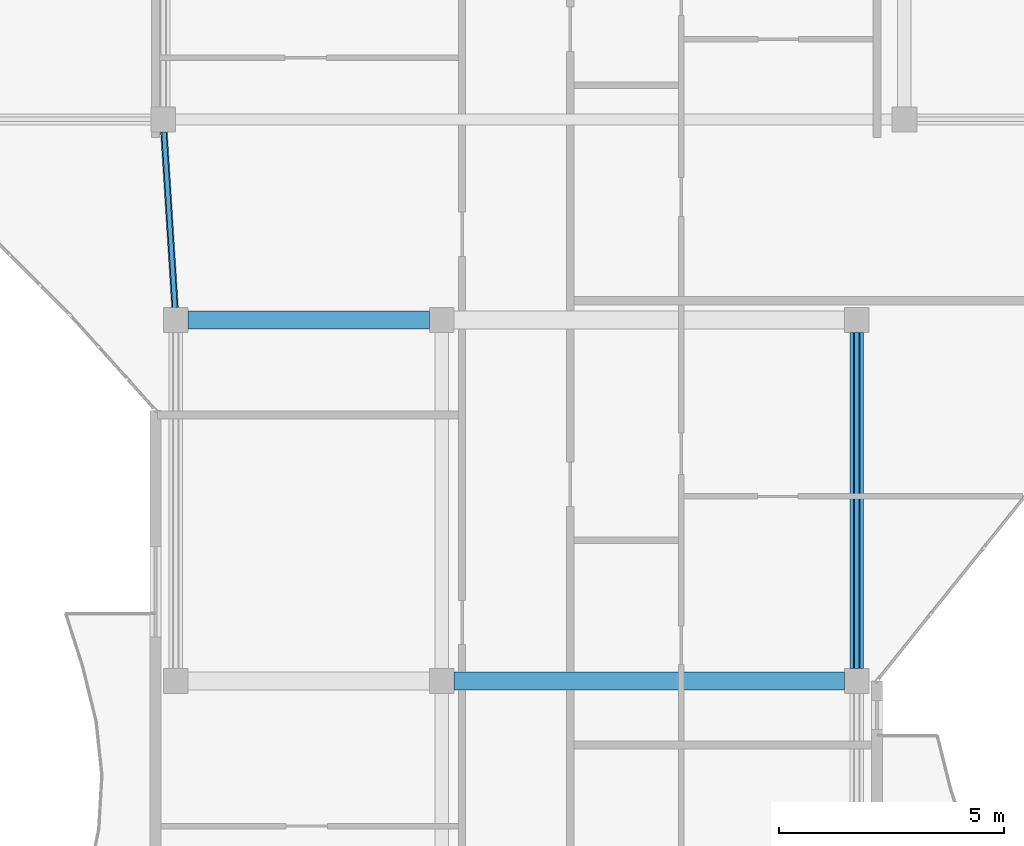
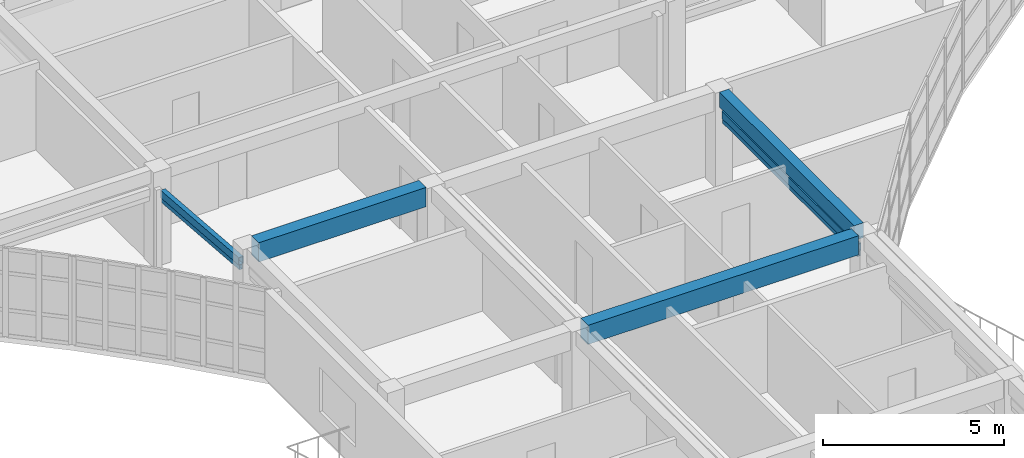
# One storey, part 5 of 54: 4 members, 3 beams.
"""IFC4 building model written with IfcOpenShell, lengths in metres."""

from ifc_helpers import new_model, si_unit, direction, frame, origin, origin_2d, place, context, subcontext, project, spatial, rectangle, hollow_rectangle, extrude, material, material_profile, profile_set, type_object, element, save


model = new_model("IFC4")

# Units and contexts
model_context = context("Model", 3, precision=1e-05, world=origin(), true_north=direction((0.0, 1.0)))
body_context = subcontext(model_context, "Body", "Model", "MODEL_VIEW")
ifc_project = project(units=[si_unit("LENGTHUNIT", "METRE"), si_unit("AREAUNIT", "SQUARE_METRE"), si_unit("VOLUMEUNIT", "CUBIC_METRE"), si_unit("PLANEANGLEUNIT", "RADIAN"), si_unit("MASSUNIT", "GRAM", prefix="KILO")], contexts=[model_context])

# Site, building, storey
site_placement = place(None, origin())
site = spatial("IfcSite", under=ifc_project, at=site_placement, CompositionType="ELEMENT")
building_placement = place(site_placement, origin())
building = spatial("IfcBuilding", under=site, at=building_placement, Name="Keldmere Railside Commons", CompositionType="ELEMENT")
storey_placement = place(building_placement, frame((0.0, 0.0, 26.56005859375)))
storey = spatial("IfcBuildingStorey", under=building, at=storey_placement, Name="L08", CompositionType="ELEMENT", Elevation=26.56005859375)

# Members
ifc_material_1 = material(Name="Steel F-36 (S355)", Category="steel")
ifc_material_profile_1 = material_profile(ifc_material_1, hollow_rectangle(XDim=0.14990234375, YDim=0.25, WallThickness=0.010009765625, at=origin_2d()), Name="RHS-250x150x10")
ifc_profile_set_1 = profile_set([ifc_material_profile_1], Name="Steel F-36 (S355)")
member_type_1 = type_object("IfcMemberType", Name="Balcony Continuous Planted Trough RHS250x150", PredefinedType="CHORD", material=ifc_profile_set_1)
member_1_placement = place(storey_placement, frame((48.4326171875, 96.2744140625, 2.4150390625), z_axis=(-0.062771017895, 0.998027955176, 0.0), x_axis=(-0.998027955176, -0.062771017895, 0.0)))
element("IfcMember", 1, at=member_1_placement, inside=storey, type_object=member_type_1, Name="PLT-1 MEM-BPLT-0875", PredefinedType="CHORD", context=body_context, shape_type="SweptSolid", body=[
    extrude(hollow_rectangle(XDim=0.14990234375, YDim=0.25, WallThickness=0.010009765625, at=origin_2d()), origin(), (0.0, 0.0, 1.0), 3.908935546875),
])
member_2_placement = place(storey_placement, frame((63.550048828125, 88.27490234375, 2.4150390625), z_axis=(0.0, 1.0, 0.0), x_axis=(-1.0, 0.0, 0.0)))
element("IfcMember", 2, at=member_2_placement, inside=storey, type_object=member_type_1, Name="PLT-1 MEM-BPLT-0885", PredefinedType="CHORD", context=body_context, shape_type="SweptSolid", body=[
    extrude(hollow_rectangle(XDim=0.14990234375, YDim=0.25, WallThickness=0.010009765625, at=origin_2d()), origin(), (0.0, 0.0, 1.0), 7.4501953125),
])

# Beams
ifc_material_2 = material(Name="Concrete H-30 (C30/37)", Category="concrete")
ifc_material_profile_2 = material_profile(ifc_material_2, rectangle(XDim=0.39990234375, YDim=0.64990234375, at=origin_2d()), Name="RC-400x650")
ifc_profile_set_2 = profile_set([ifc_material_profile_2], Name="Concrete H-30 (C30/37)")
beam_type_1 = type_object("IfcBeamType", Name="Residential Spine RC Girder 400x650", PredefinedType="BEAM", material=ifc_profile_set_2)
beam_1_placement = place(storey_placement, frame((54.625, 88.0, 2.875), z_axis=(1.0, 0.0, 0.0), x_axis=(0.0, 1.0, 0.0)))
element("IfcBeam", 3, at=beam_1_placement, inside=storey, type_object=beam_type_1, Name="BG-3 BM-L08-2179", PredefinedType="BEAM", context=body_context, shape_type="SweptSolid", body=[
    extrude(rectangle(XDim=0.39990234375, YDim=0.64990234375, at=origin_2d()), origin(), (0.0, 0.0, 1.0), 8.64990234375),
])
beam_2_placement = place(storey_placement, frame((48.72509765625, 96.0, 2.875), z_axis=(1.0, 0.0, 0.0), x_axis=(0.0, 1.0, 0.0)))
element("IfcBeam", 4, at=beam_2_placement, inside=storey, type_object=beam_type_1, Name="BG-3 BM-L08-2184", PredefinedType="BEAM", context=body_context, shape_type="SweptSolid", body=[
    extrude(rectangle(XDim=0.39990234375, YDim=0.64990234375, at=origin_2d()), origin(), (0.0, 0.0, 1.0), 5.349853515625),
])
ifc_material_profile_3 = material_profile(ifc_material_2, rectangle(XDim=0.300048828125, YDim=0.5, at=origin_2d()), Name="RC-300x500")
ifc_profile_set_3 = profile_set([ifc_material_profile_3], Name="Concrete H-30 (C30/37)")
beam_type_2 = type_object("IfcBeamType", Name="Secondary Frame RC Beam 300x500", PredefinedType="BEAM", material=ifc_profile_set_3)
beam_3_placement = place(storey_placement, frame((63.550048828125, 88.27490234375, 2.949951171875), z_axis=(0.0, 1.0, 0.0), x_axis=(-1.0, 0.0, 0.0)))
element("IfcBeam", 5, at=beam_3_placement, inside=storey, type_object=beam_type_2, Name="BG-5 BM-L08-2230", PredefinedType="BEAM", context=body_context, shape_type="SweptSolid", body=[
    extrude(rectangle(XDim=0.300048828125, YDim=0.5, at=origin_2d()), origin(), (0.0, 0.0, 1.0), 7.4501953125),
])

# Members
ifc_material_profile_4 = material_profile(ifc_material_1, hollow_rectangle(XDim=0.10009765625, YDim=0.159912109375, WallThickness=0.008056640625, at=origin_2d()), Name="RHS-160x100x8")
ifc_profile_set_4 = profile_set([ifc_material_profile_4], Name="Steel F-36 (S355)")
member_type_2 = type_object("IfcMemberType", Name="Solar Brise-Soleil Louvre Fin RHS160x100", PredefinedType="STRUT", material=ifc_profile_set_4)
member_3_placement = place(storey_placement, frame((48.4326171875, 96.2744140625, 2.199951171875), z_axis=(-0.062771017895, 0.998027955176, 0.0), x_axis=(-0.998027955176, -0.062771017895, 0.0)))
element("IfcMember", 6, at=member_3_placement, inside=storey, type_object=member_type_2, Name="BSF-1 MEM-BSF-0876", PredefinedType="STRUT", context=body_context, shape_type="SweptSolid", body=[
    extrude(hollow_rectangle(XDim=0.10009765625, YDim=0.159912109375, WallThickness=0.008056640625, at=origin_2d()), origin(), (0.0, 0.0, 1.0), 3.908935546875),
])
member_4_placement = place(storey_placement, frame((63.550048828125, 88.27490234375, 2.199951171875), z_axis=(0.0, 1.0, 0.0), x_axis=(-1.0, 0.0, 0.0)))
element("IfcMember", 7, at=member_4_placement, inside=storey, type_object=member_type_2, Name="BSF-1 MEM-BSF-0886", PredefinedType="STRUT", context=body_context, shape_type="SweptSolid", body=[
    extrude(hollow_rectangle(XDim=0.10009765625, YDim=0.159912109375, WallThickness=0.008056640625, at=origin_2d()), origin(), (0.0, 0.0, 1.0), 7.4501953125),
])

save(model, "model.ifc")
